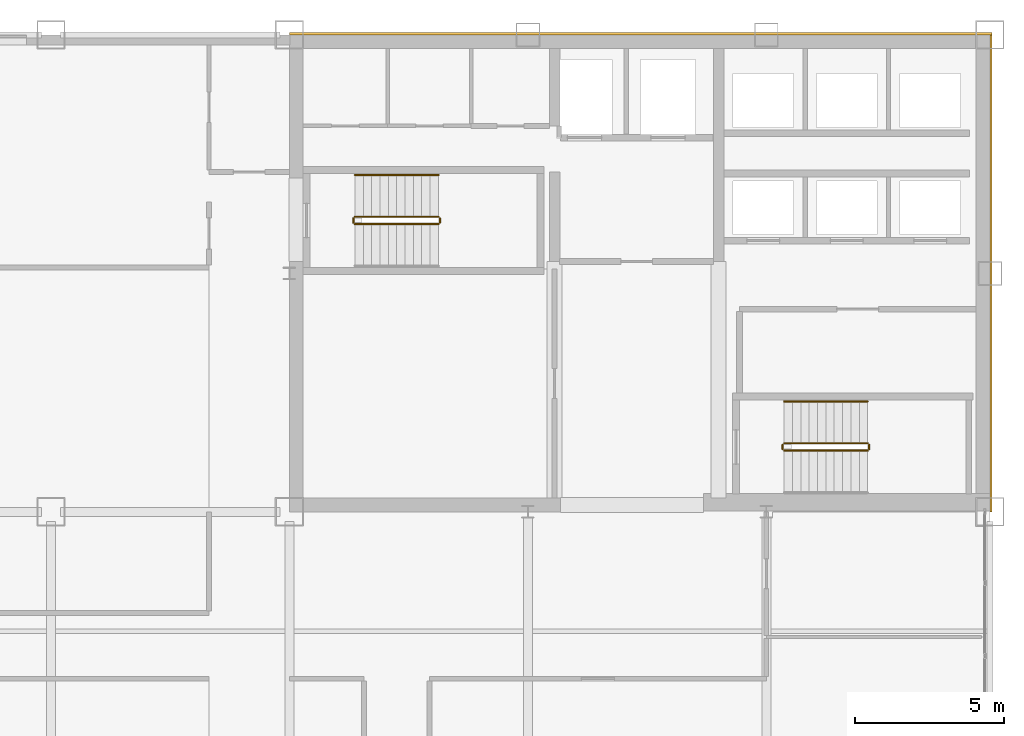
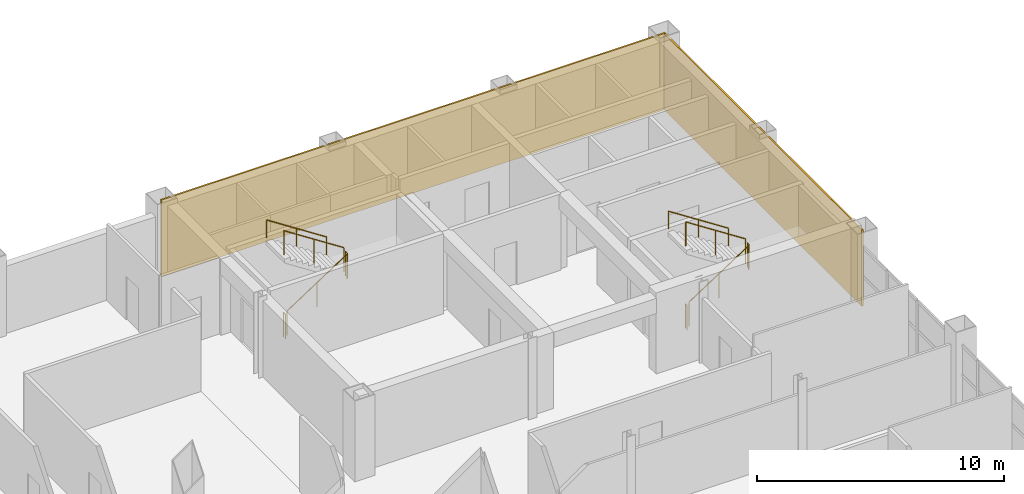
# One storey, part 12 of 12: 10 railings, 2 coverings.
"""IFC4 building model written with IfcOpenShell, lengths in metres."""

from ifc_helpers import new_model, si_unit, direction, frame, origin, origin_2d, place, context, subcontext, project, spatial, rectangle, circle, extrude, material, layer, layer_set, type_object, element, save


model = new_model("IFC4")

# Units and contexts
model_context = context("Model", 3, precision=1e-05, world=origin(), true_north=direction((0.0, 1.0)))
body_context = subcontext(model_context, "Body", "Model", "MODEL_VIEW")
ifc_project = project(units=[si_unit("LENGTHUNIT", "METRE"), si_unit("AREAUNIT", "SQUARE_METRE"), si_unit("VOLUMEUNIT", "CUBIC_METRE"), si_unit("PLANEANGLEUNIT", "RADIAN"), si_unit("MASSUNIT", "GRAM", prefix="KILO")], contexts=[model_context])

# Site, building, storey
site_placement = place(None, origin())
site = spatial("IfcSite", under=ifc_project, at=site_placement, CompositionType="ELEMENT")
building_placement = place(site_placement, origin())
building = spatial("IfcBuilding", under=site, at=building_placement, Name="Qianrong Seaharbour Tower", CompositionType="ELEMENT")
storey_placement = place(building_placement, frame((0.0, 0.0, 205.800048828125)))
storey = spatial("IfcBuildingStorey", under=building, at=storey_placement, Name="L49", CompositionType="ELEMENT", Elevation=205.800048828125)

# Coverings
ifc_material_1 = material(Name="Unitised red brick cladding on Precast concrete C45/55", Category="masonry")
ifc_layer = layer(ifc_material_1, 0.080078125)
ifc_layer_set = layer_set([ifc_layer], Name="Unitised red brick cladding on Precast concrete C45/55")
covering_type = type_object("IfcCoveringType", Name="COV-CLAD-RED-BRICK-80", PredefinedType="CLADDING", material=ifc_layer_set)
covering_1_placement = place(storey_placement, frame((52.2900390625, 52.0400390625, 0.0), z_axis=(0.0, 0.0, 1.0), x_axis=(1.0, 0.0, 0.0)))
element("IfcCovering", 1, at=covering_1_placement, inside=storey, type_object=covering_type, Name="L49 North Core Brick Veneer Cladding", PredefinedType="CLADDING", context=body_context, shape_type="SweptSolid", body=[
    extrude(rectangle(XDim=23.580078125, YDim=0.080078125, at=origin_2d()), origin(), (0.0, 0.0, 1.0), 3.77490234375),
])
covering_2_placement = place(storey_placement, frame((64.0400390625, 44.0, 0.0), z_axis=(0.0, 0.0, 1.0), x_axis=(1.0, 0.0, 0.0)))
element("IfcCovering", 2, at=covering_2_placement, inside=storey, type_object=covering_type, Name="L49 East Core Brick Veneer Cladding", PredefinedType="CLADDING", context=body_context, shape_type="SweptSolid", body=[
    extrude(rectangle(XDim=0.080078125, YDim=16.0, at=origin_2d()), origin(), (0.0, 0.0, 1.0), 3.77490234375),
])

# Railings
ifc_material_2 = material(Name="Galvanized painted steel SN400B stair guard", Category="steel")
railing_type_1 = type_object("IfcRailingType", Name="RAIL-STAIR-GUARD-1220", PredefinedType="GUARDRAIL", material=ifc_material_2)
railing_1_placement = place(storey_placement, frame((42.699951171875, 45.64990234375, 0.181884765625)))
element("IfcRailing", 3, at=railing_1_placement, inside=storey, type_object=railing_type_1, Name="L49 ST-1 stair guard 1", PredefinedType="GUARDRAIL", context=body_context, shape_type="SweptSolid", body=[
    extrude(circle(Radius=0.02392578125, at=origin_2d()), frame((0.0, 0.0, 1.19580078125), z_axis=(0.838705829183, 0.0, 0.544584733623), x_axis=(0.0, 1.0, 0.0)), (0.0, 0.0, 1.0), 3.338623046875),
    extrude(circle(Radius=0.02099609375, at=origin_2d()), origin(), (0.0, 0.0, 1.0), 1.171875),
    extrude(circle(Radius=0.02099609375, at=origin_2d()), frame((1.39990234375, 0.0, 0.9091796875)), (0.0, 0.0, 1.0), 1.171875),
    extrude(circle(Radius=0.02099609375, at=origin_2d()), frame((2.800048828125, 0.0, 1.818115234375)), (0.0, 0.0, 1.0), 1.171875),
])
railing_2_placement = place(storey_placement, frame((45.550048828125, 45.699951171875, 2.0)))
element("IfcRailing", 4, at=railing_2_placement, inside=storey, type_object=railing_type_1, Name="L49 ST-1 stair guard 2", PredefinedType="GUARDRAIL", context=body_context, shape_type="SweptSolid", body=[
    extrude(circle(Radius=0.02392578125, at=origin_2d()), frame((0.0, 0.0, 1.19580078125), z_axis=(0.0, 1.0, 0.0), x_axis=(-1.0, 0.0, 0.0)), (0.0, 0.0, 1.0), 0.150146484375),
    extrude(circle(Radius=0.02099609375, at=origin_2d()), origin(), (0.0, 0.0, 1.0), 1.171875),
    extrude(circle(Radius=0.02099609375, at=origin_2d()), frame((0.0, 0.150146484375, 0.0)), (0.0, 0.0, 1.0), 1.171875),
])
railing_3_placement = place(storey_placement, frame((45.5, 45.89990234375, 2.181884765625)))
element("IfcRailing", 5, at=railing_3_placement, inside=storey, type_object=railing_type_1, Name="L49 ST-1 stair guard 3", PredefinedType="GUARDRAIL", context=body_context, shape_type="SweptSolid", body=[
    extrude(circle(Radius=0.02392578125, at=origin_2d()), frame((0.0, 0.0, 1.19580078125), z_axis=(-0.838705829183, 0.0, 0.544584733623), x_axis=(0.0, -1.0, 0.0)), (0.0, 0.0, 1.0), 3.338623046875),
    extrude(circle(Radius=0.02099609375, at=origin_2d()), origin(), (0.0, 0.0, 1.0), 1.171875),
    extrude(circle(Radius=0.02099609375, at=origin_2d()), frame((-1.39990234375, 0.0, 0.9091796875)), (0.0, 0.0, 1.0), 1.171875),
    extrude(circle(Radius=0.02099609375, at=origin_2d()), frame((-2.800048828125, 0.0, 1.818115234375)), (0.0, 0.0, 1.0), 1.171875),
])
railing_4_placement = place(storey_placement, frame((42.64990234375, 45.699951171875, 0.0)))
element("IfcRailing", 6, at=railing_4_placement, inside=storey, type_object=railing_type_1, Name="L49 ST-1 stair guard 4", PredefinedType="GUARDRAIL", context=body_context, shape_type="SweptSolid", body=[
    extrude(circle(Radius=0.02392578125, at=origin_2d()), frame((0.0, 0.0, 1.19580078125), z_axis=(0.0, 1.0, 0.0), x_axis=(-1.0, 0.0, 0.0)), (0.0, 0.0, 1.0), 0.150146484375),
    extrude(circle(Radius=0.02099609375, at=origin_2d()), origin(), (0.0, 0.0, 1.0), 1.171875),
    extrude(circle(Radius=0.02099609375, at=origin_2d()), frame((0.0, 0.150146484375, 0.0)), (0.0, 0.0, 1.0), 1.171875),
])
railing_5_placement = place(storey_placement, frame((57.10009765625, 38.050048828125, 0.181884765625)))
element("IfcRailing", 7, at=railing_5_placement, inside=storey, type_object=railing_type_1, Name="L49 ST-2 stair guard 1", PredefinedType="GUARDRAIL", context=body_context, shape_type="SweptSolid", body=[
    extrude(circle(Radius=0.02392578125, at=origin_2d()), frame((0.0, 0.0, 1.19580078125), z_axis=(0.83868413941, 0.0, 0.544618136222), x_axis=(0.0, 1.0, 0.0)), (0.0, 0.0, 1.0), 3.33837890625),
    extrude(circle(Radius=0.02099609375, at=origin_2d()), origin(), (0.0, 0.0, 1.0), 1.171875),
    extrude(circle(Radius=0.02099609375, at=origin_2d()), frame((1.39990234375, 0.0, 0.9091796875)), (0.0, 0.0, 1.0), 1.171875),
    extrude(circle(Radius=0.02099609375, at=origin_2d()), frame((2.7998046875, 0.0, 1.818115234375)), (0.0, 0.0, 1.0), 1.171875),
])
railing_6_placement = place(storey_placement, frame((59.949951171875, 38.10009765625, 2.0)))
element("IfcRailing", 8, at=railing_6_placement, inside=storey, type_object=railing_type_1, Name="L49 ST-2 stair guard 2", PredefinedType="GUARDRAIL", context=body_context, shape_type="SweptSolid", body=[
    extrude(circle(Radius=0.02392578125, at=origin_2d()), frame((0.0, 0.0, 1.19580078125), z_axis=(0.0, 1.0, 0.0), x_axis=(-1.0, 0.0, 0.0)), (0.0, 0.0, 1.0), 0.14990234375),
    extrude(circle(Radius=0.02099609375, at=origin_2d()), origin(), (0.0, 0.0, 1.0), 1.171875),
    extrude(circle(Radius=0.02099609375, at=origin_2d()), frame((0.0, 0.14990234375, 0.0)), (0.0, 0.0, 1.0), 1.171875),
])
railing_7_placement = place(storey_placement, frame((59.89990234375, 38.300048828125, 2.181884765625)))
element("IfcRailing", 9, at=railing_7_placement, inside=storey, type_object=railing_type_1, Name="L49 ST-2 stair guard 3", PredefinedType="GUARDRAIL", context=body_context, shape_type="SweptSolid", body=[
    extrude(circle(Radius=0.02392578125, at=origin_2d()), frame((0.0, 0.0, 1.19580078125), z_axis=(-0.83868413941, 0.0, 0.544618136222), x_axis=(0.0, -1.0, 0.0)), (0.0, 0.0, 1.0), 3.33837890625),
    extrude(circle(Radius=0.02099609375, at=origin_2d()), origin(), (0.0, 0.0, 1.0), 1.171875),
    extrude(circle(Radius=0.02099609375, at=origin_2d()), frame((-1.39990234375, 0.0, 0.9091796875)), (0.0, 0.0, 1.0), 1.171875),
    extrude(circle(Radius=0.02099609375, at=origin_2d()), frame((-2.7998046875, 0.0, 1.818115234375)), (0.0, 0.0, 1.0), 1.171875),
])
railing_8_placement = place(storey_placement, frame((57.050048828125, 38.10009765625, 0.0)))
element("IfcRailing", 10, at=railing_8_placement, inside=storey, type_object=railing_type_1, Name="L49 ST-2 stair guard 4", PredefinedType="GUARDRAIL", context=body_context, shape_type="SweptSolid", body=[
    extrude(circle(Radius=0.02392578125, at=origin_2d()), frame((0.0, 0.0, 1.19580078125), z_axis=(0.0, 1.0, 0.0), x_axis=(-1.0, 0.0, 0.0)), (0.0, 0.0, 1.0), 0.14990234375),
    extrude(circle(Radius=0.02099609375, at=origin_2d()), origin(), (0.0, 0.0, 1.0), 1.171875),
    extrude(circle(Radius=0.02099609375, at=origin_2d()), frame((0.0, 0.14990234375, 0.0)), (0.0, 0.0, 1.0), 1.171875),
])
ifc_material_3 = material(Name="Stainless steel SUS316L continuous handrail", Category="steel")
railing_type_2 = type_object("IfcRailingType", Name="RAIL-STAIR-HANDRAIL-900", PredefinedType="HANDRAIL", material=ifc_material_3)
railing_9_placement = place(storey_placement, frame((45.5, 47.300048828125, 2.181884765625)))
element("IfcRailing", 11, at=railing_9_placement, inside=storey, type_object=railing_type_2, Name="L49 ST-1 stair handrail 2", PredefinedType="HANDRAIL", context=body_context, shape_type="SweptSolid", body=[
    extrude(circle(Radius=0.02392578125, at=origin_2d()), frame((0.0, 0.0, 0.8759765625), z_axis=(-0.838705829183, 0.0, 0.544584733623), x_axis=(0.0, -1.0, 0.0)), (0.0, 0.0, 1.0), 3.338623046875),
    extrude(circle(Radius=0.02099609375, at=origin_2d()), origin(), (0.0, 0.0, 1.0), 0.851806640625),
    extrude(circle(Radius=0.02099609375, at=origin_2d()), frame((-1.39990234375, 0.0, 0.9091796875)), (0.0, 0.0, 1.0), 0.851806640625),
    extrude(circle(Radius=0.02099609375, at=origin_2d()), frame((-2.800048828125, 0.0, 1.818115234375)), (0.0, 0.0, 1.0), 0.851806640625),
])
railing_10_placement = place(storey_placement, frame((59.89990234375, 39.699951171875, 2.181884765625)))
element("IfcRailing", 12, at=railing_10_placement, inside=storey, type_object=railing_type_2, Name="L49 ST-2 stair handrail 2", PredefinedType="HANDRAIL", context=body_context, shape_type="SweptSolid", body=[
    extrude(circle(Radius=0.02392578125, at=origin_2d()), frame((0.0, 0.0, 0.8759765625), z_axis=(-0.83868413941, 0.0, 0.544618136222), x_axis=(0.0, -1.0, 0.0)), (0.0, 0.0, 1.0), 3.33837890625),
    extrude(circle(Radius=0.02099609375, at=origin_2d()), origin(), (0.0, 0.0, 1.0), 0.851806640625),
    extrude(circle(Radius=0.02099609375, at=origin_2d()), frame((-1.39990234375, 0.0, 0.9091796875)), (0.0, 0.0, 1.0), 0.851806640625),
    extrude(circle(Radius=0.02099609375, at=origin_2d()), frame((-2.7998046875, 0.0, 1.818115234375)), (0.0, 0.0, 1.0), 0.851806640625),
])

save(model, "model.ifc")
